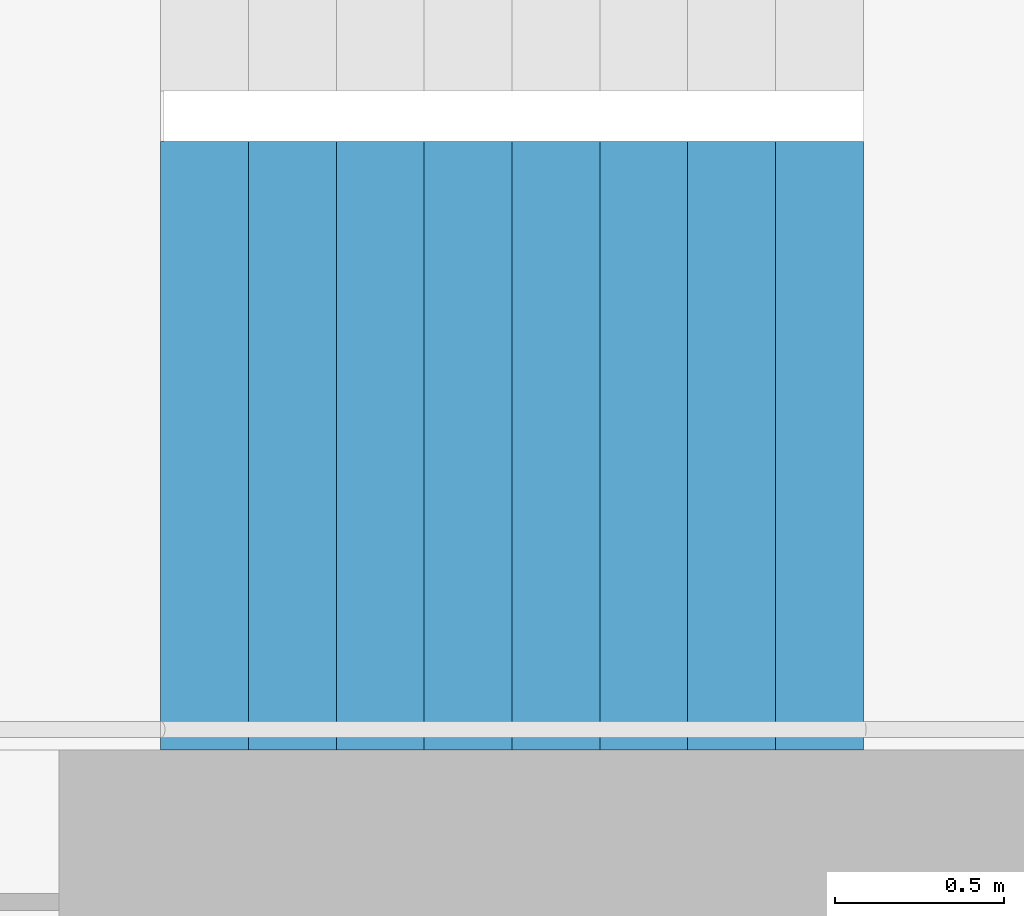
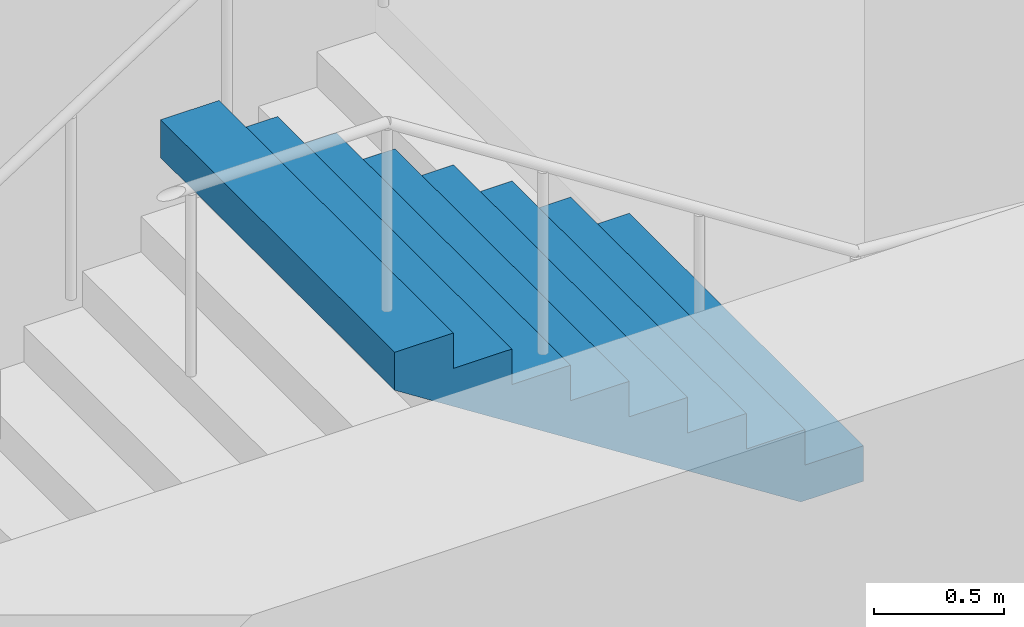
# One storey, part 27 of 35: 1 stair flight, 1 element without a shape of its own.
"""IFC4 building model written with IfcOpenShell, lengths in metres."""

from ifc_helpers import new_model, si_unit, direction, frame, origin, place, context, subcontext, project, spatial, triangles, material, type_object, element, aggregate, save


model = new_model("IFC4")

# Units and contexts
model_context = context("Model", 3, precision=1e-05, world=origin(), true_north=direction((0.0, 1.0)))
body_context = subcontext(model_context, "Body", "Model", "MODEL_VIEW")
ifc_project = project(units=[si_unit("LENGTHUNIT", "METRE"), si_unit("AREAUNIT", "SQUARE_METRE"), si_unit("VOLUMEUNIT", "CUBIC_METRE"), si_unit("PLANEANGLEUNIT", "RADIAN"), si_unit("MASSUNIT", "GRAM", prefix="KILO")], contexts=[model_context])

# Site, building, storey
site_placement = place(None, origin())
site = spatial("IfcSite", under=ifc_project, at=site_placement, CompositionType="ELEMENT")
building_placement = place(site_placement, origin())
building = spatial("IfcBuilding", under=site, at=building_placement, Name="Hakoniwa Tower and Hamabe Station Hall", CompositionType="ELEMENT")
storey_placement = place(building_placement, frame((0.0, 0.0, 264.60009765625)))
storey = spatial("IfcBuildingStorey", under=building, at=storey_placement, Name="L75", CompositionType="ELEMENT", Elevation=264.60009765625)

# Stair, stair flight
ifc_material_1 = material(Name="Concrete C40", Category="concrete")
stair_type = type_object("IfcStairType", Name="ESCAPE STAIR 1800", PredefinedType="HALF_TURN_STAIR", material=ifc_material_1)
stair_placement = place(storey_placement, origin())
stair = element("IfcStair", 1, at=stair_placement, inside=storey, type_object=stair_type, Name="Escape stair ST-4 L75", PredefinedType="HALF_TURN_STAIR")
ifc_material_2 = material(Name="Concrete C40", Category="concrete")
stair_flight_type = type_object("IfcStairFlightType", Name="STAIR FLIGHT 1800", PredefinedType="STRAIGHT", material=ifc_material_2)
stair_flight_placement = place(storey_placement, frame((25.47998046875, -6.60009765625, 4.5), z_axis=(0.0, 0.0, 1.0), x_axis=(-1.0, 0.0, 0.0)))
stair_flight = element("IfcStairFlight", 2, at=stair_flight_placement, type_object=stair_flight_type, Name="ST-4 flight 4", NumberOfRisers=9, NumberOfTreads=8, PredefinedType="STRAIGHT", RiserHeight=0.166666667, TreadLength=0.26, context=body_context, shape_type="Tessellation", body=[
    triangles([(0.0, 0.89990234375, 0.0), (0.260009765625, 0.89990234375, 0.0), (0.27783203125, 0.89990234375, 0.0), (0.52001953125, 0.89990234375, 0.1552734375), (0.780029296875, 0.89990234375, 0.322021484375), (1.0400390625, 0.89990234375, 0.488525390625), (1.300048828125, 0.89990234375, 0.6552734375), (1.56005859375, 0.89990234375, 0.822021484375), (1.820068359375, 0.89990234375, 0.988525390625), (2.080078125, 0.89990234375, 1.1552734375), (2.080078125, 0.89990234375, 1.333251953125), (1.820068359375, 0.89990234375, 1.333251953125), (1.820068359375, 0.89990234375, 1.166748046875), (1.56005859375, 0.89990234375, 1.166748046875), (1.56005859375, 0.89990234375, 1.0), (1.300048828125, 0.89990234375, 1.0), (1.300048828125, 0.89990234375, 0.833251953125), (1.0400390625, 0.89990234375, 0.833251953125), (1.0400390625, 0.89990234375, 0.666748046875), (0.780029296875, 0.89990234375, 0.666748046875), (0.780029296875, 0.89990234375, 0.5), (0.52001953125, 0.89990234375, 0.5), (0.52001953125, 0.89990234375, 0.333251953125), (0.27783203125, 0.89990234375, 0.333251953125), (0.260009765625, 0.89990234375, 0.333251953125), (0.260009765625, 0.89990234375, 0.166748046875), (0.0, 0.89990234375, 0.166748046875), (0.0, 0.06005859375, 0.0), (0.260009765625, 0.06005859375, 0.0), (0.27783203125, 0.06005859375, 0.0), (0.52001953125, 0.06005859375, 0.1552734375), (0.780029296875, 0.06005859375, 0.322021484375), (1.0400390625, 0.06005859375, 0.488525390625), (1.300048828125, 0.06005859375, 0.6552734375), (1.56005859375, 0.06005859375, 0.822021484375), (1.820068359375, 0.06005859375, 0.988525390625), (2.080078125, 0.06005859375, 1.1552734375), (2.080078125, 0.06005859375, 1.333251953125), (1.820068359375, 0.06005859375, 1.333251953125), (1.820068359375, 0.06005859375, 1.166748046875), (1.56005859375, 0.06005859375, 1.166748046875), (1.56005859375, 0.06005859375, 1.0), (1.300048828125, 0.06005859375, 1.0), (1.300048828125, 0.06005859375, 0.833251953125), (1.0400390625, 0.06005859375, 0.833251953125), (1.0400390625, 0.06005859375, 0.666748046875), (0.780029296875, 0.06005859375, 0.666748046875), (0.780029296875, 0.06005859375, 0.5), (0.52001953125, 0.06005859375, 0.5), (0.52001953125, 0.06005859375, 0.333251953125), (0.27783203125, 0.06005859375, 0.333251953125), (0.260009765625, 0.06005859375, 0.333251953125), (0.260009765625, 0.06005859375, 0.166748046875), (0.0, 0.06005859375, 0.166748046875), (0.0, 0.04296875, 0.0), (0.260009765625, 0.04296875, 0.0), (0.27783203125, 0.04296875, 0.0), (0.52001953125, 0.04296875, 0.1552734375), (0.780029296875, 0.04296875, 0.322021484375), (1.0400390625, 0.04296875, 0.488525390625), (1.300048828125, 0.04296875, 0.6552734375), (1.56005859375, 0.04296875, 0.822021484375), (1.820068359375, 0.04296875, 0.988525390625), (2.080078125, 0.04296875, 1.1552734375), (2.080078125, 0.04296875, 1.333251953125), (1.820068359375, 0.04296875, 1.333251953125), (1.820068359375, 0.04296875, 1.166748046875), (1.56005859375, 0.04296875, 1.166748046875), (1.56005859375, 0.04296875, 1.0), (1.300048828125, 0.04296875, 1.0), (1.300048828125, 0.04296875, 0.833251953125), (1.0400390625, 0.04296875, 0.833251953125), (1.0400390625, 0.04296875, 0.666748046875), (0.780029296875, 0.04296875, 0.666748046875), (0.780029296875, 0.04296875, 0.5), (0.52001953125, 0.04296875, 0.5), (0.52001953125, 0.04296875, 0.333251953125), (0.27783203125, 0.04296875, 0.333251953125), (0.260009765625, 0.04296875, 0.333251953125), (0.260009765625, 0.04296875, 0.166748046875), (0.0, 0.04296875, 0.166748046875), (0.0, 0.025634765625, 0.0), (0.260009765625, 0.025634765625, 0.0), (0.27783203125, 0.025634765625, 0.0), (0.52001953125, 0.025634765625, 0.1552734375), (0.780029296875, 0.025634765625, 0.322021484375), (1.0400390625, 0.025634765625, 0.488525390625), (1.300048828125, 0.025634765625, 0.6552734375), (1.56005859375, 0.025634765625, 0.822021484375), (1.820068359375, 0.025634765625, 0.988525390625), (2.080078125, 0.025634765625, 1.1552734375), (2.080078125, 0.025634765625, 1.333251953125), (1.820068359375, 0.025634765625, 1.333251953125), (1.820068359375, 0.025634765625, 1.166748046875), (1.56005859375, 0.025634765625, 1.166748046875), (1.56005859375, 0.025634765625, 1.0), (1.300048828125, 0.025634765625, 1.0), (1.300048828125, 0.025634765625, 0.833251953125), (1.0400390625, 0.025634765625, 0.833251953125), (1.0400390625, 0.025634765625, 0.666748046875), (0.780029296875, 0.025634765625, 0.666748046875), (0.780029296875, 0.025634765625, 0.5), (0.52001953125, 0.025634765625, 0.5), (0.52001953125, 0.025634765625, 0.333251953125), (0.27783203125, 0.025634765625, 0.333251953125), (0.260009765625, 0.025634765625, 0.333251953125), (0.260009765625, 0.025634765625, 0.166748046875), (0.0, 0.025634765625, 0.166748046875), (0.0, 0.008544921875, 0.0), (0.260009765625, 0.008544921875, 0.0), (0.27783203125, 0.008544921875, 0.0), (0.52001953125, 0.008544921875, 0.1552734375), (0.780029296875, 0.008544921875, 0.322021484375), (1.0400390625, 0.008544921875, 0.488525390625), (1.300048828125, 0.008544921875, 0.6552734375), (1.56005859375, 0.008544921875, 0.822021484375), (1.820068359375, 0.008544921875, 0.988525390625), (2.080078125, 0.008544921875, 1.1552734375), (2.080078125, 0.008544921875, 1.333251953125), (1.820068359375, 0.008544921875, 1.333251953125), (1.820068359375, 0.008544921875, 1.166748046875), (1.56005859375, 0.008544921875, 1.166748046875), (1.56005859375, 0.008544921875, 1.0), (1.300048828125, 0.008544921875, 1.0), (1.300048828125, 0.008544921875, 0.833251953125), (1.0400390625, 0.008544921875, 0.833251953125), (1.0400390625, 0.008544921875, 0.666748046875), (0.780029296875, 0.008544921875, 0.666748046875), (0.780029296875, 0.008544921875, 0.5), (0.52001953125, 0.008544921875, 0.5), (0.52001953125, 0.008544921875, 0.333251953125), (0.27783203125, 0.008544921875, 0.333251953125), (0.260009765625, 0.008544921875, 0.333251953125), (0.260009765625, 0.008544921875, 0.166748046875), (0.0, 0.008544921875, 0.166748046875), (0.0, -0.008544921875, 0.0), (0.260009765625, -0.008544921875, 0.0), (0.27783203125, -0.008544921875, 0.0), (0.52001953125, -0.008544921875, 0.1552734375), (0.780029296875, -0.008544921875, 0.322021484375), (1.0400390625, -0.008544921875, 0.488525390625), (1.300048828125, -0.008544921875, 0.6552734375), (1.56005859375, -0.008544921875, 0.822021484375), (1.820068359375, -0.008544921875, 0.988525390625), (2.080078125, -0.008544921875, 1.1552734375), (2.080078125, -0.008544921875, 1.333251953125), (1.820068359375, -0.008544921875, 1.333251953125), (1.820068359375, -0.008544921875, 1.166748046875), (1.56005859375, -0.008544921875, 1.166748046875), (1.56005859375, -0.008544921875, 1.0), (1.300048828125, -0.008544921875, 1.0), (1.300048828125, -0.008544921875, 0.833251953125), (1.0400390625, -0.008544921875, 0.833251953125), (1.0400390625, -0.008544921875, 0.666748046875), (0.780029296875, -0.008544921875, 0.666748046875), (0.780029296875, -0.008544921875, 0.5), (0.52001953125, -0.008544921875, 0.5), (0.52001953125, -0.008544921875, 0.333251953125), (0.27783203125, -0.008544921875, 0.333251953125), (0.260009765625, -0.008544921875, 0.333251953125), (0.260009765625, -0.008544921875, 0.166748046875), (0.0, -0.008544921875, 0.166748046875), (0.0, -0.025634765625, 0.0), (0.260009765625, -0.025634765625, 0.0), (0.27783203125, -0.025634765625, 0.0), (0.52001953125, -0.025634765625, 0.1552734375), (0.780029296875, -0.025634765625, 0.322021484375), (1.0400390625, -0.025634765625, 0.488525390625), (1.300048828125, -0.025634765625, 0.6552734375), (1.56005859375, -0.025634765625, 0.822021484375), (1.820068359375, -0.025634765625, 0.988525390625), (2.080078125, -0.025634765625, 1.1552734375), (2.080078125, -0.025634765625, 1.333251953125), (1.820068359375, -0.025634765625, 1.333251953125), (1.820068359375, -0.025634765625, 1.166748046875), (1.56005859375, -0.025634765625, 1.166748046875), (1.56005859375, -0.025634765625, 1.0), (1.300048828125, -0.025634765625, 1.0), (1.300048828125, -0.025634765625, 0.833251953125), (1.0400390625, -0.025634765625, 0.833251953125), (1.0400390625, -0.025634765625, 0.666748046875), (0.780029296875, -0.025634765625, 0.666748046875), (0.780029296875, -0.025634765625, 0.5), (0.52001953125, -0.025634765625, 0.5), (0.52001953125, -0.025634765625, 0.333251953125), (0.27783203125, -0.025634765625, 0.333251953125), (0.260009765625, -0.025634765625, 0.333251953125), (0.260009765625, -0.025634765625, 0.166748046875), (0.0, -0.025634765625, 0.166748046875), (0.0, -0.04296875, 0.0), (0.260009765625, -0.04296875, 0.0), (0.27783203125, -0.04296875, 0.0), (0.52001953125, -0.04296875, 0.1552734375), (0.780029296875, -0.04296875, 0.322021484375), (1.0400390625, -0.04296875, 0.488525390625), (1.300048828125, -0.04296875, 0.6552734375), (1.56005859375, -0.04296875, 0.822021484375), (1.820068359375, -0.04296875, 0.988525390625), (2.080078125, -0.04296875, 1.1552734375), (2.080078125, -0.04296875, 1.333251953125), (1.820068359375, -0.04296875, 1.333251953125), (1.820068359375, -0.04296875, 1.166748046875), (1.56005859375, -0.04296875, 1.166748046875), (1.56005859375, -0.04296875, 1.0), (1.300048828125, -0.04296875, 1.0), (1.300048828125, -0.04296875, 0.833251953125), (1.0400390625, -0.04296875, 0.833251953125), (1.0400390625, -0.04296875, 0.666748046875), (0.780029296875, -0.04296875, 0.666748046875), (0.780029296875, -0.04296875, 0.5), (0.52001953125, -0.04296875, 0.5), (0.52001953125, -0.04296875, 0.333251953125), (0.27783203125, -0.04296875, 0.333251953125), (0.260009765625, -0.04296875, 0.333251953125), (0.260009765625, -0.04296875, 0.166748046875), (0.0, -0.04296875, 0.166748046875), (0.0, -0.06005859375, 0.0), (0.260009765625, -0.06005859375, 0.0), (0.27783203125, -0.06005859375, 0.0), (0.52001953125, -0.06005859375, 0.1552734375), (0.780029296875, -0.06005859375, 0.322021484375), (1.0400390625, -0.06005859375, 0.488525390625), (1.300048828125, -0.06005859375, 0.6552734375), (1.56005859375, -0.06005859375, 0.822021484375), (1.820068359375, -0.06005859375, 0.988525390625), (2.080078125, -0.06005859375, 1.1552734375), (2.080078125, -0.06005859375, 1.333251953125), (1.820068359375, -0.06005859375, 1.333251953125), (1.820068359375, -0.06005859375, 1.166748046875), (1.56005859375, -0.06005859375, 1.166748046875), (1.56005859375, -0.06005859375, 1.0), (1.300048828125, -0.06005859375, 1.0), (1.300048828125, -0.06005859375, 0.833251953125), (1.0400390625, -0.06005859375, 0.833251953125), (1.0400390625, -0.06005859375, 0.666748046875), (0.780029296875, -0.06005859375, 0.666748046875), (0.780029296875, -0.06005859375, 0.5), (0.52001953125, -0.06005859375, 0.5), (0.52001953125, -0.06005859375, 0.333251953125), (0.27783203125, -0.06005859375, 0.333251953125), (0.260009765625, -0.06005859375, 0.333251953125), (0.260009765625, -0.06005859375, 0.166748046875), (0.0, -0.06005859375, 0.166748046875), (0.0, -0.89990234375, 0.0), (0.260009765625, -0.89990234375, 0.0), (0.27783203125, -0.89990234375, 0.0), (0.52001953125, -0.89990234375, 0.1552734375), (0.780029296875, -0.89990234375, 0.322021484375), (1.0400390625, -0.89990234375, 0.488525390625), (1.300048828125, -0.89990234375, 0.6552734375), (1.56005859375, -0.89990234375, 0.822021484375), (1.820068359375, -0.89990234375, 0.988525390625), (2.080078125, -0.89990234375, 1.1552734375), (2.080078125, -0.89990234375, 1.333251953125), (1.820068359375, -0.89990234375, 1.333251953125), (1.820068359375, -0.89990234375, 1.166748046875), (1.56005859375, -0.89990234375, 1.166748046875), (1.56005859375, -0.89990234375, 1.0), (1.300048828125, -0.89990234375, 1.0), (1.300048828125, -0.89990234375, 0.833251953125), (1.0400390625, -0.89990234375, 0.833251953125), (1.0400390625, -0.89990234375, 0.666748046875), (0.780029296875, -0.89990234375, 0.666748046875), (0.780029296875, -0.89990234375, 0.5), (0.52001953125, -0.89990234375, 0.5), (0.52001953125, -0.89990234375, 0.333251953125), (0.27783203125, -0.89990234375, 0.333251953125), (0.260009765625, -0.89990234375, 0.333251953125), (0.260009765625, -0.89990234375, 0.166748046875), (0.0, -0.89990234375, 0.166748046875)], [[2, 27, 26], [245, 269, 270], [2, 1, 27], [245, 270, 244], [3, 25, 24], [246, 267, 268], [3, 26, 25], [246, 268, 269], [3, 2, 26], [246, 269, 245], [4, 24, 23], [247, 266, 267], [4, 3, 24], [247, 267, 246], [5, 22, 21], [248, 264, 265], [5, 23, 22], [248, 265, 266], [5, 4, 23], [248, 266, 247], [6, 20, 19], [249, 262, 263], [6, 21, 20], [249, 263, 264], [6, 5, 21], [249, 264, 248], [7, 18, 17], [250, 260, 261], [7, 19, 18], [250, 261, 262], [7, 6, 19], [250, 262, 249], [8, 16, 15], [251, 258, 259], [8, 17, 16], [251, 259, 260], [8, 7, 17], [251, 260, 250], [9, 14, 13], [252, 256, 257], [9, 15, 14], [252, 257, 258], [9, 8, 15], [252, 258, 251], [10, 12, 11], [253, 254, 255], [10, 13, 12], [253, 255, 256], [10, 9, 13], [253, 256, 252], [1, 2, 29], [1, 29, 28], [28, 29, 56], [28, 56, 55], [55, 56, 83], [55, 83, 82], [82, 83, 110], [82, 110, 109], [109, 110, 137], [109, 137, 136], [136, 137, 164], [136, 164, 163], [163, 164, 191], [163, 191, 190], [190, 191, 218], [190, 218, 217], [217, 218, 245], [217, 245, 244], [2, 3, 30], [2, 30, 29], [29, 30, 57], [29, 57, 56], [56, 57, 84], [56, 84, 83], [83, 84, 111], [83, 111, 110], [110, 111, 138], [110, 138, 137], [137, 138, 165], [137, 165, 164], [164, 165, 192], [164, 192, 191], [191, 192, 219], [191, 219, 218], [218, 219, 246], [218, 246, 245], [3, 4, 31], [3, 31, 30], [30, 31, 58], [30, 58, 57], [57, 58, 85], [57, 85, 84], [84, 85, 112], [84, 112, 111], [111, 112, 139], [111, 139, 138], [138, 139, 166], [138, 166, 165], [165, 166, 193], [165, 193, 192], [192, 193, 220], [192, 220, 219], [219, 220, 247], [219, 247, 246], [4, 5, 32], [4, 32, 31], [31, 32, 59], [31, 59, 58], [58, 59, 86], [58, 86, 85], [85, 86, 113], [85, 113, 112], [112, 113, 140], [112, 140, 139], [139, 140, 167], [139, 167, 166], [166, 167, 194], [166, 194, 193], [193, 194, 221], [193, 221, 220], [220, 221, 248], [220, 248, 247], [5, 6, 33], [5, 33, 32], [32, 33, 60], [32, 60, 59], [59, 60, 87], [59, 87, 86], [86, 87, 114], [86, 114, 113], [113, 114, 141], [113, 141, 140], [140, 141, 168], [140, 168, 167], [167, 168, 195], [167, 195, 194], [194, 195, 222], [194, 222, 221], [221, 222, 249], [221, 249, 248], [6, 7, 34], [6, 34, 33], [33, 34, 61], [33, 61, 60], [60, 61, 88], [60, 88, 87], [87, 88, 115], [87, 115, 114], [114, 115, 142], [114, 142, 141], [141, 142, 169], [141, 169, 168], [168, 169, 196], [168, 196, 195], [195, 196, 223], [195, 223, 222], [222, 223, 250], [222, 250, 249], [7, 8, 35], [7, 35, 34], [34, 35, 62], [34, 62, 61], [61, 62, 89], [61, 89, 88], [88, 89, 116], [88, 116, 115], [115, 116, 143], [115, 143, 142], [142, 143, 170], [142, 170, 169], [169, 170, 197], [169, 197, 196], [196, 197, 224], [196, 224, 223], [223, 224, 251], [223, 251, 250], [8, 9, 36], [8, 36, 35], [35, 36, 63], [35, 63, 62], [62, 63, 90], [62, 90, 89], [89, 90, 117], [89, 117, 116], [116, 117, 144], [116, 144, 143], [143, 144, 171], [143, 171, 170], [170, 171, 198], [170, 198, 197], [197, 198, 225], [197, 225, 224], [224, 225, 252], [224, 252, 251], [9, 10, 37], [9, 37, 36], [36, 37, 64], [36, 64, 63], [63, 64, 91], [63, 91, 90], [90, 91, 118], [90, 118, 117], [117, 118, 145], [117, 145, 144], [144, 145, 172], [144, 172, 171], [171, 172, 199], [171, 199, 198], [198, 199, 226], [198, 226, 225], [225, 226, 253], [225, 253, 252], [10, 11, 38], [10, 38, 37], [37, 38, 65], [37, 65, 64], [64, 65, 92], [64, 92, 91], [91, 92, 119], [91, 119, 118], [118, 119, 146], [118, 146, 145], [145, 146, 173], [145, 173, 172], [172, 173, 200], [172, 200, 199], [199, 200, 227], [199, 227, 226], [226, 227, 254], [226, 254, 253], [11, 12, 39], [11, 39, 38], [38, 39, 66], [38, 66, 65], [65, 66, 93], [65, 93, 92], [92, 93, 120], [92, 120, 119], [119, 120, 147], [119, 147, 146], [146, 147, 174], [146, 174, 173], [173, 174, 201], [173, 201, 200], [200, 201, 228], [200, 228, 227], [227, 228, 255], [227, 255, 254], [12, 13, 40], [12, 40, 39], [39, 40, 67], [39, 67, 66], [66, 67, 94], [66, 94, 93], [93, 94, 121], [93, 121, 120], [120, 121, 148], [120, 148, 147], [147, 148, 175], [147, 175, 174], [174, 175, 202], [174, 202, 201], [201, 202, 229], [201, 229, 228], [228, 229, 256], [228, 256, 255], [13, 14, 41], [13, 41, 40], [40, 41, 68], [40, 68, 67], [67, 68, 95], [67, 95, 94], [94, 95, 122], [94, 122, 121], [121, 122, 149], [121, 149, 148], [148, 149, 176], [148, 176, 175], [175, 176, 203], [175, 203, 202], [202, 203, 230], [202, 230, 229], [229, 230, 257], [229, 257, 256], [14, 15, 42], [14, 42, 41], [41, 42, 69], [41, 69, 68], [68, 69, 96], [68, 96, 95], [95, 96, 123], [95, 123, 122], [122, 123, 150], [122, 150, 149], [149, 150, 177], [149, 177, 176], [176, 177, 204], [176, 204, 203], [203, 204, 231], [203, 231, 230], [230, 231, 258], [230, 258, 257], [15, 16, 43], [15, 43, 42], [42, 43, 70], [42, 70, 69], [69, 70, 97], [69, 97, 96], [96, 97, 124], [96, 124, 123], [123, 124, 151], [123, 151, 150], [150, 151, 178], [150, 178, 177], [177, 178, 205], [177, 205, 204], [204, 205, 232], [204, 232, 231], [231, 232, 259], [231, 259, 258], [16, 17, 44], [16, 44, 43], [43, 44, 71], [43, 71, 70], [70, 71, 98], [70, 98, 97], [97, 98, 125], [97, 125, 124], [124, 125, 152], [124, 152, 151], [151, 152, 179], [151, 179, 178], [178, 179, 206], [178, 206, 205], [205, 206, 233], [205, 233, 232], [232, 233, 260], [232, 260, 259], [17, 18, 45], [17, 45, 44], [44, 45, 72], [44, 72, 71], [71, 72, 99], [71, 99, 98], [98, 99, 126], [98, 126, 125], [125, 126, 153], [125, 153, 152], [152, 153, 180], [152, 180, 179], [179, 180, 207], [179, 207, 206], [206, 207, 234], [206, 234, 233], [233, 234, 261], [233, 261, 260], [18, 19, 46], [18, 46, 45], [45, 46, 73], [45, 73, 72], [72, 73, 100], [72, 100, 99], [99, 100, 127], [99, 127, 126], [126, 127, 154], [126, 154, 153], [153, 154, 181], [153, 181, 180], [180, 181, 208], [180, 208, 207], [207, 208, 235], [207, 235, 234], [234, 235, 262], [234, 262, 261], [19, 20, 47], [19, 47, 46], [46, 47, 74], [46, 74, 73], [73, 74, 101], [73, 101, 100], [100, 101, 128], [100, 128, 127], [127, 128, 155], [127, 155, 154], [154, 155, 182], [154, 182, 181], [181, 182, 209], [181, 209, 208], [208, 209, 236], [208, 236, 235], [235, 236, 263], [235, 263, 262], [20, 21, 48], [20, 48, 47], [47, 48, 75], [47, 75, 74], [74, 75, 102], [74, 102, 101], [101, 102, 129], [101, 129, 128], [128, 129, 156], [128, 156, 155], [155, 156, 183], [155, 183, 182], [182, 183, 210], [182, 210, 209], [209, 210, 237], [209, 237, 236], [236, 237, 264], [236, 264, 263], [21, 22, 49], [21, 49, 48], [48, 49, 76], [48, 76, 75], [75, 76, 103], [75, 103, 102], [102, 103, 130], [102, 130, 129], [129, 130, 157], [129, 157, 156], [156, 157, 184], [156, 184, 183], [183, 184, 211], [183, 211, 210], [210, 211, 238], [210, 238, 237], [237, 238, 265], [237, 265, 264], [22, 23, 50], [22, 50, 49], [49, 50, 77], [49, 77, 76], [76, 77, 104], [76, 104, 103], [103, 104, 131], [103, 131, 130], [130, 131, 158], [130, 158, 157], [157, 158, 185], [157, 185, 184], [184, 185, 212], [184, 212, 211], [211, 212, 239], [211, 239, 238], [238, 239, 266], [238, 266, 265], [23, 24, 51], [23, 51, 50], [50, 51, 78], [50, 78, 77], [77, 78, 105], [77, 105, 104], [104, 105, 132], [104, 132, 131], [131, 132, 159], [131, 159, 158], [158, 159, 186], [158, 186, 185], [185, 186, 213], [185, 213, 212], [212, 213, 240], [212, 240, 239], [239, 240, 267], [239, 267, 266], [24, 25, 52], [24, 52, 51], [51, 52, 79], [51, 79, 78], [78, 79, 106], [78, 106, 105], [105, 106, 133], [105, 133, 132], [132, 133, 160], [132, 160, 159], [159, 160, 187], [159, 187, 186], [186, 187, 214], [186, 214, 213], [213, 214, 241], [213, 241, 240], [240, 241, 268], [240, 268, 267], [25, 26, 53], [25, 53, 52], [52, 53, 80], [52, 80, 79], [79, 80, 107], [79, 107, 106], [106, 107, 134], [106, 134, 133], [133, 134, 161], [133, 161, 160], [160, 161, 188], [160, 188, 187], [187, 188, 215], [187, 215, 214], [214, 215, 242], [214, 242, 241], [241, 242, 269], [241, 269, 268], [26, 27, 54], [26, 54, 53], [53, 54, 81], [53, 81, 80], [80, 81, 108], [80, 108, 107], [107, 108, 135], [107, 135, 134], [134, 135, 162], [134, 162, 161], [161, 162, 189], [161, 189, 188], [188, 189, 216], [188, 216, 215], [215, 216, 243], [215, 243, 242], [242, 243, 270], [242, 270, 269], [27, 1, 28], [27, 28, 54], [54, 28, 55], [54, 55, 81], [81, 55, 82], [81, 82, 108], [108, 82, 109], [108, 109, 135], [135, 109, 136], [135, 136, 162], [162, 136, 163], [162, 163, 189], [189, 163, 190], [189, 190, 216], [216, 190, 217], [216, 217, 243], [243, 217, 244], [243, 244, 270]], closed=True),
])
aggregate(stair, [stair_flight])

save(model, "model.ifc")
